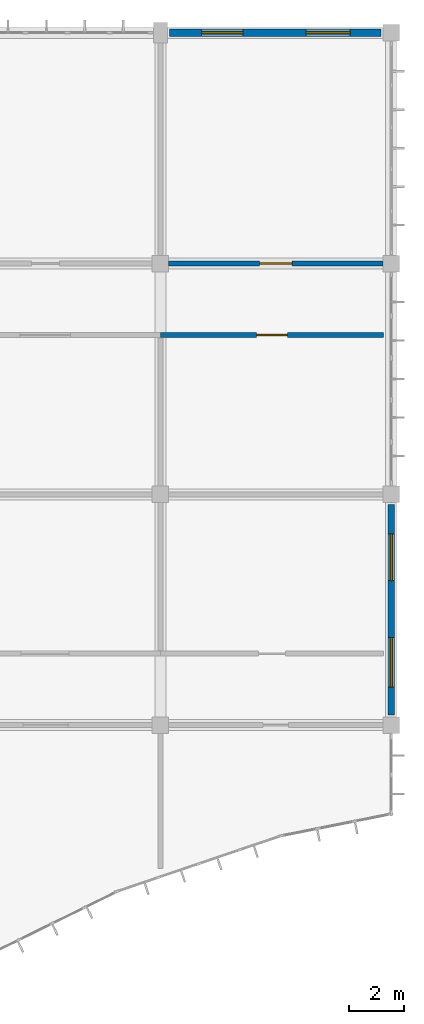
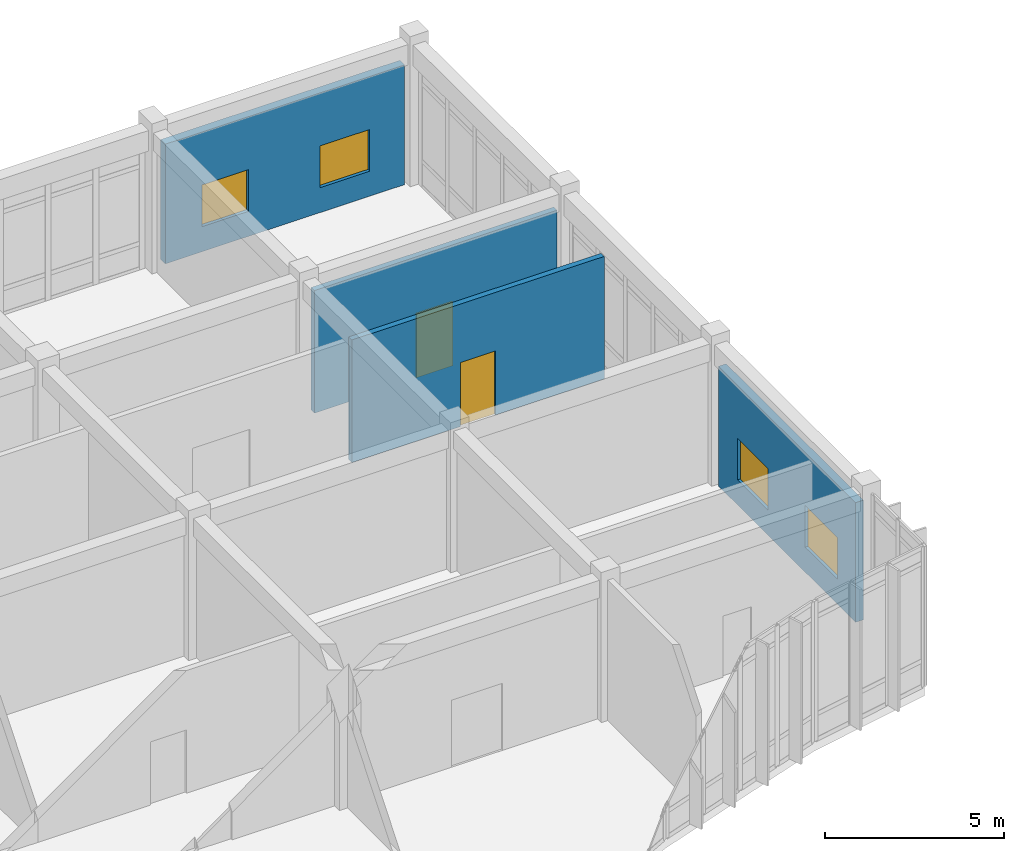
# One storey, part 112 of 134: 4 walls, 4 windows, 2 doors, 6 openings.
"""IFC4 building model written with IfcOpenShell, lengths in metres."""

import ifcopenshell
import ifcopenshell.guid

model = None  # the IFC model being written
_history = None  # IfcOwnerHistory: only IFC2X3 demands one
_inside = {}  # id of a spatial element -> (the spatial element, [elements in it])
_under = {}  # id of a project, library or spatial element -> (it, [spatial elements below it])
_declared = {}  # id of a project -> (the project, [libraries it declares])
_typed = {}  # id of a type object -> (the type object, [elements of that type])
_made_of = {}  # id of a material, layer set ... -> (it, [elements and type objects made of it])


def new_model(schema):
    """Start an empty IFC model of exactly this schema.

    Asked for "IFC4X3", IfcOpenShell would pick the latest addendum, in which some entities
    have other attributes; the version numbers below select the first issue.
    IFC2X3 requires an IfcOwnerHistory on every rooted entity: one is made here for all.
    """
    global model, _history
    if schema == "IFC4X3":
        model = ifcopenshell.file(schema_version=(4, 3, 0, 0))
    else:
        model = ifcopenshell.file(schema=schema)
    _inside.clear()
    _under.clear()
    _declared.clear()
    _typed.clear()
    _made_of.clear()
    _history = None
    if model.schema == "IFC2X3":
        org = make("IfcOrganization", Name="unknown")
        user = make(
            "IfcPersonAndOrganization",
            ThePerson=make("IfcPerson", FamilyName="unknown"),
            TheOrganization=org,
        )
        app = make(
            "IfcApplication",
            ApplicationDeveloper=org,
            Version="unknown",
            ApplicationFullName="unknown",
            ApplicationIdentifier="unknown",
        )
        _history = make(
            "IfcOwnerHistory",
            OwningUser=user,
            OwningApplication=app,
            ChangeAction="ADDED",
            CreationDate=0,
        )
    return model


def make(cls, **values):
    """One entity of the class cls with the attributes given. An attribute that is None is left unset."""
    return model.create_entity(
        cls, **{name: value for name, value in values.items() if value is not None}
    )


def rooted(cls, **values):
    """An entity with a GlobalId (a new one), such as an element, a storey or a relation."""
    return make(cls, GlobalId=ifcopenshell.guid.new(), OwnerHistory=_history, **values)


def si_unit(unit_type, name, prefix=None):
    """IfcSIUnit, for example si_unit("LENGTHUNIT", "METRE", prefix="MILLI")."""
    return make("IfcSIUnit", UnitType=unit_type, Prefix=prefix, Name=name)


def assignment(units):
    """IfcUnitAssignment: the units of a project."""
    return None if units is None else make("IfcUnitAssignment", Units=units)


def point(xyz):
    """IfcCartesianPoint."""
    return None if xyz is None else make("IfcCartesianPoint", Coordinates=xyz)


def direction(xyz):
    """IfcDirection."""
    return None if xyz is None else make("IfcDirection", DirectionRatios=xyz)


def frame(location, z_axis=None, x_axis=None):
    """IfcAxis2Placement3D, a coordinate frame: its origin and axes. An axis left out is left unset."""
    return make(
        "IfcAxis2Placement3D",
        Location=point(location),
        Axis=direction(z_axis),
        RefDirection=direction(x_axis),
    )


def frame_2d(location, x_axis=None):
    """IfcAxis2Placement2D, a coordinate frame in the plane: its origin and x axis."""
    return make(
        "IfcAxis2Placement2D", Location=point(location), RefDirection=direction(x_axis)
    )


def origin():
    """The frame at (0, 0, 0) with its axes left unset."""
    return frame((0.0, 0.0, 0.0))


def place(relative_to, where):
    """IfcLocalPlacement: puts the frame where relative to a parent placement (None: the world)."""
    return make(
        "IfcLocalPlacement", PlacementRelTo=relative_to, RelativePlacement=where
    )


def context(
    kind, dimensions, precision=None, world=None, true_north=None, identifier=None
):
    """IfcGeometricRepresentationContext, for example the 3D "Model" context."""
    return make(
        "IfcGeometricRepresentationContext",
        ContextIdentifier=identifier,
        ContextType=kind,
        CoordinateSpaceDimension=dimensions,
        Precision=precision,
        WorldCoordinateSystem=world,
        TrueNorth=true_north,
    )


def subcontext(parent, identifier, kind, view, scale=None):
    """IfcGeometricRepresentationSubContext, for example "Body" below "Model"."""
    return make(
        "IfcGeometricRepresentationSubContext",
        ContextIdentifier=identifier,
        ContextType=kind,
        ParentContext=parent,
        TargetScale=scale,
        TargetView=view,
    )


def project(units=None, contexts=None):
    """IfcProject with its units and contexts."""
    return rooted(
        "IfcProject",
        Name="project",
        RepresentationContexts=contexts,
        UnitsInContext=assignment(units),
    )


def spatial(cls, under=None, at=None, **own):
    """A site, building, storey or space (cls), placed at a placement, below another one or the project."""
    s = rooted(cls, ObjectPlacement=at, **own)
    if under is not None:
        _under.setdefault(under.id(), (under, []))[1].append(s)
    return s


def profile(cls, at=None, kind="AREA", **sizes):
    """A parametric profile (cls). Its sizes go by their IFC names, for example OverallWidth=200.0."""
    return make(cls, ProfileType=kind, Position=at, **sizes)


def rectangle(**sizes):
    """IfcRectangleProfileDef."""
    return profile("IfcRectangleProfileDef", **sizes)


def extrude(swept, where, along, depth):
    """IfcExtrudedAreaSolid: the profile swept, set in the frame where, extruded along a direction by depth."""
    return make(
        "IfcExtrudedAreaSolid",
        SweptArea=swept,
        Position=where,
        ExtrudedDirection=direction(along),
        Depth=depth,
    )


def shape(context_of_items, identifier, shape_type, items):
    """IfcShapeRepresentation: the items that make up one representation, for example the "Body"."""
    return make(
        "IfcShapeRepresentation",
        ContextOfItems=context_of_items,
        RepresentationIdentifier=identifier,
        RepresentationType=shape_type,
        Items=items,
    )


def material(Name=None, Category=None):
    """IfcMaterial."""
    return make("IfcMaterial", Name=Name, Category=Category)


def layer(
    of_material, thickness, ventilated=None, Name=None, Category=None, Priority=None
):
    """IfcMaterialLayer: one layer of a wall or slab, of a material (None: an air gap)."""
    return make(
        "IfcMaterialLayer",
        Material=of_material,
        LayerThickness=thickness,
        IsVentilated=ventilated,
        Name=Name,
        Category=Category,
        Priority=Priority,
    )


def layer_set(layers, Name=None):
    """IfcMaterialLayerSet."""
    return make("IfcMaterialLayerSet", MaterialLayers=layers, LayerSetName=Name)


def made_of(thing, what):
    """Note that an element or type object is made of a material, layer set ...; save() writes the relation."""
    if what is not None:
        _made_of.setdefault(what.id(), (what, []))[1].append(thing)
    return thing


def type_object(cls, material=None, **own):
    """A type object (cls), such as IfcWallType, which elements share."""
    return made_of(rooted(cls, **own), material)


def element(
    cls,
    number,
    at=None,
    inside=None,
    cuts=None,
    type_object=None,
    material=None,
    context=None,
    identifier="Body",
    shape_type=None,
    held_by="IfcProductDefinitionShape",
    body=None,
    shapes=None,
    **own,
):
    """One element of the class cls, such as IfcWall. Its Tag is "e" and its number.

    at: its placement. inside: the storey or other place that contains it. cuts: it is an
    opening in that element (IfcRelVoidsElement). A single representation is given by context,
    identifier, shape_type and body (its items); several are given by shapes. held_by: the class
    of the entity that holds the representations. save() writes the other relations.
    """
    e = rooted(cls, Tag="e%d" % number, ObjectPlacement=at, **own)
    if body is not None:
        shapes = [shape(context, identifier, shape_type, body)]
    if shapes is not None:
        e.Representation = make(held_by, Representations=shapes)
    if inside is not None:
        _inside.setdefault(inside.id(), (inside, []))[1].append(e)
    if cuts is not None:
        rooted(
            "IfcRelVoidsElement", RelatingBuildingElement=cuts, RelatedOpeningElement=e
        )
    if type_object is not None:
        _typed.setdefault(type_object.id(), (type_object, []))[1].append(e)
    return made_of(e, material)


def fill(opening, filler):
    """IfcRelFillsElement: the door or window that sits in an opening."""
    return rooted(
        "IfcRelFillsElement",
        RelatingOpeningElement=opening,
        RelatedBuildingElement=filler,
    )


def aggregate(whole, parts):
    """IfcRelAggregates: a whole, such as a stair, and the parts it consists of."""
    return rooted("IfcRelAggregates", RelatingObject=whole, RelatedObjects=parts)


def save(model, path):
    """Write the relations noted so far, then the file.

    IfcRelAggregates (storeys below a building ...), IfcRelContainedInSpatialStructure (elements
    in a storey), IfcRelDefinesByType, IfcRelAssociatesMaterial and IfcRelDeclares: one each for
    every whole, place, type object, material and project.
    """
    for whole, parts in _under.values():
        aggregate(whole, parts)
    for where, things in _inside.values():
        rooted(
            "IfcRelContainedInSpatialStructure",
            RelatedElements=things,
            RelatingStructure=where,
        )
    for kind, things in _typed.values():
        rooted("IfcRelDefinesByType", RelatedObjects=things, RelatingType=kind)
    for what, things in _made_of.values():
        rooted("IfcRelAssociatesMaterial", RelatedObjects=things, RelatingMaterial=what)
    for by, libraries in _declared.values():
        rooted("IfcRelDeclares", RelatingContext=by, RelatedDefinitions=libraries)
    model.write(path)


model = new_model("IFC4")

# Units and contexts
model_context = context("Model", 3, precision=1e-05, world=origin(), true_north=direction((0.0, 1.0)))
body_context = subcontext(model_context, "Body", "Model", "MODEL_VIEW")
ifc_project = project(units=[si_unit("LENGTHUNIT", "METRE"), si_unit("AREAUNIT", "SQUARE_METRE"), si_unit("VOLUMEUNIT", "CUBIC_METRE"), si_unit("PLANEANGLEUNIT", "RADIAN"), si_unit("MASSUNIT", "GRAM", prefix="KILO")], contexts=[model_context])

# Site, building, storey
site_placement = place(None, origin())
site = spatial("IfcSite", under=ifc_project, at=site_placement, CompositionType="ELEMENT")
building_placement = place(site_placement, origin())
building = spatial("IfcBuilding", under=site, at=building_placement, Name="Bramfleet General Hospital", CompositionType="ELEMENT")
storey_placement = place(building_placement, frame((0.0, 0.0, 9.300048828125)))
storey = spatial("IfcBuildingStorey", under=building, at=storey_placement, Name="L02", CompositionType="ELEMENT", Elevation=9.300048828125)

# Wall, openings, windows
ifc_material_1 = material(Name="Precast concrete C40/50", Category="concrete")
ifc_layer_1 = layer(ifc_material_1, 0.264892578125, Name="WT-EW-07")
ifc_layer_set_1 = layer_set([ifc_layer_1], Name="Precast concrete C40/50")
wall_type_1 = type_object("IfcWallType", Name="WT-EW-07", PredefinedType="SOLIDWALL", material=ifc_layer_set_1)
wall_1_placement = place(storey_placement, frame((159.925048828125, 117.60009765625, 0.0), z_axis=(0.0, 0.0, 1.0), x_axis=(1.0, 0.0, 0.0)))
wall_1 = element("IfcWall", 1, at=wall_1_placement, inside=storey, type_object=wall_type_1, Name="L02 Exterior Wall 215", PredefinedType="SOLIDWALL", context=body_context, shape_type="SweptSolid", body=[
    extrude(rectangle(XDim=7.699951171875, YDim=0.264892578125, at=frame_2d((3.85009765625, 0.0))), origin(), (0.0, 0.0, 1.0), 4.070068359375),
])
opening_1_placement = place(wall_1_placement, frame((1.175048828125, 0.0, 0.85009765625)))
opening_1 = element("IfcOpeningElement", 2, at=opening_1_placement, cuts=wall_1, Name="Opening W-16", PredefinedType="OPENING", context=body_context, shape_type="SweptSolid", body=[
    extrude(rectangle(XDim=1.5, YDim=1.419921875, at=frame_2d((0.75, 0.7099609375))), frame((0.0, 0.142333984375, 0.0), z_axis=(0.0, -1.0, 0.0), x_axis=(1.0, 0.0, 0.0)), (0.0, 0.0, 1.0), 0.284912109375),
])
opening_2_placement = place(wall_1_placement, frame((4.97509765625, 0.0, 0.85009765625)))
opening_2 = element("IfcOpeningElement", 3, at=opening_2_placement, cuts=wall_1, Name="Opening W-17", PredefinedType="OPENING", context=body_context, shape_type="SweptSolid", body=[
    extrude(rectangle(XDim=1.60009765625, YDim=1.419921875, at=frame_2d((0.800048828125, 0.7099609375))), frame((0.0, 0.142333984375, 0.0), z_axis=(0.0, -1.0, 0.0), x_axis=(1.0, 0.0, 0.0)), (0.0, 0.0, 1.0), 0.284912109375),
])
ifc_material_2 = material(Name="Anodised aluminium and low-E triple glazing", Category="aluminium")
window_type_1 = type_object("IfcWindowType", Name="WIN-W-16", PartitioningType="SINGLE_PANEL", PredefinedType="WINDOW", material=ifc_material_2)
window_1_placement = place(opening_1_placement, origin())
window_1 = element("IfcWindow", 4, at=window_1_placement, inside=storey, type_object=window_type_1, Name="L02 Facade Window WIN-L02-215-1", OverallHeight=1.419921875, OverallWidth=1.5, PartitioningType="SINGLE_PANEL", PredefinedType="WINDOW", context=body_context, shape_type="SweptSolid", body=[
    extrude(rectangle(XDim=1.5, YDim=1.419921875, at=frame_2d((0.75, 0.7099609375))), frame((0.0, 0.030029296875, 0.0), z_axis=(0.0, -1.0, 0.0), x_axis=(1.0, 0.0, 0.0)), (0.0, 0.0, 1.0), 0.06005859375),
])
fill(opening_1, window_1)
window_type_2 = type_object("IfcWindowType", Name="WIN-W-17", PartitioningType="SINGLE_PANEL", PredefinedType="WINDOW", material=ifc_material_2)
window_2_placement = place(opening_2_placement, origin())
window_2 = element("IfcWindow", 5, at=window_2_placement, inside=storey, type_object=window_type_2, Name="L02 Facade Window WIN-L02-215-2", OverallHeight=1.419921875, OverallWidth=1.60009765625, PartitioningType="SINGLE_PANEL", PredefinedType="WINDOW", context=body_context, shape_type="SweptSolid", body=[
    extrude(rectangle(XDim=1.60009765625, YDim=1.419921875, at=frame_2d((0.800048828125, 0.7099609375))), frame((0.0, 0.030029296875, 0.0), z_axis=(0.0, -1.0, 0.0), x_axis=(1.0, 0.0, 0.0)), (0.0, 0.0, 1.0), 0.06005859375),
])
fill(opening_2, window_2)

ifc_layer_2 = layer(ifc_material_1, 0.25, Name="WT-EW-08")
ifc_layer_set_2 = layer_set([ifc_layer_2], Name="Precast concrete C40/50")
wall_type_2 = type_object("IfcWallType", Name="WT-EW-08", PredefinedType="SOLIDWALL", material=ifc_layer_set_2)
wall_2_placement = place(storey_placement, frame((168.0, 100.425048828125, 0.0), z_axis=(0.0, 0.0, 1.0), x_axis=(0.0, -1.0, 0.0)))
wall_2 = element("IfcWall", 6, at=wall_2_placement, inside=storey, type_object=wall_type_2, Name="L02 Exterior Wall 216", PredefinedType="SOLIDWALL", context=body_context, shape_type="SweptSolid", body=[
    extrude(rectangle(XDim=7.650146484375, YDim=0.25, at=frame_2d((3.8251953125, 0.0))), origin(), (0.0, 0.0, 1.0), 4.070068359375),
])
opening_3_placement = place(wall_2_placement, frame((1.0625, 0.0, 0.85009765625)))
opening_3 = element("IfcOpeningElement", 7, at=opening_3_placement, cuts=wall_2, Name="Opening W-18", PredefinedType="OPENING", context=body_context, shape_type="SweptSolid", body=[
    extrude(rectangle(XDim=1.699951171875, YDim=1.419921875, at=frame_2d((0.85009765625, 0.7099609375))), frame((0.0, 0.135009765625, 0.0), z_axis=(0.0, -1.0, 0.0), x_axis=(1.0, 0.0, 0.0)), (0.0, 0.0, 1.0), 0.27001953125),
])
opening_4_placement = place(wall_2_placement, frame((4.83740234375, 0.0, 0.85009765625)))
opening_4 = element("IfcOpeningElement", 8, at=opening_4_placement, cuts=wall_2, Name="Opening W-19", PredefinedType="OPENING", context=body_context, shape_type="SweptSolid", body=[
    extrude(rectangle(XDim=1.800048828125, YDim=1.419921875, at=frame_2d((0.89990234375, 0.7099609375))), frame((0.0, 0.135009765625, 0.0), z_axis=(0.0, -1.0, 0.0), x_axis=(1.0, 0.0, 0.0)), (0.0, 0.0, 1.0), 0.27001953125),
])
window_type_3 = type_object("IfcWindowType", Name="WIN-W-18", PartitioningType="SINGLE_PANEL", PredefinedType="WINDOW", material=ifc_material_2)
window_3_placement = place(opening_3_placement, origin())
window_3 = element("IfcWindow", 9, at=window_3_placement, inside=storey, type_object=window_type_3, Name="L02 Facade Window WIN-L02-216-1", OverallHeight=1.419921875, OverallWidth=1.699951171875, PartitioningType="SINGLE_PANEL", PredefinedType="WINDOW", context=body_context, shape_type="SweptSolid", body=[
    extrude(rectangle(XDim=1.699951171875, YDim=1.419921875, at=frame_2d((0.85009765625, 0.7099609375))), frame((0.0, 0.030029296875, 0.0), z_axis=(0.0, -1.0, 0.0), x_axis=(1.0, 0.0, 0.0)), (0.0, 0.0, 1.0), 0.06005859375),
])
fill(opening_3, window_3)
window_type_4 = type_object("IfcWindowType", Name="WIN-W-19", PartitioningType="SINGLE_PANEL", PredefinedType="WINDOW", material=ifc_material_2)
window_4_placement = place(opening_4_placement, origin())
window_4 = element("IfcWindow", 10, at=window_4_placement, inside=storey, type_object=window_type_4, Name="L02 Facade Window WIN-L02-216-2", OverallHeight=1.419921875, OverallWidth=1.800048828125, PartitioningType="SINGLE_PANEL", PredefinedType="WINDOW", context=body_context, shape_type="SweptSolid", body=[
    extrude(rectangle(XDim=1.800048828125, YDim=1.419921875, at=frame_2d((0.89990234375, 0.7099609375))), frame((0.0, 0.030029296875, 0.0), z_axis=(0.0, -1.0, 0.0), x_axis=(1.0, 0.0, 0.0)), (0.0, 0.0, 1.0), 0.06005859375),
])
fill(opening_4, window_4)

# Wall, opening, door
ifc_material_3 = material(Name="Concrete C35/45", Category="concrete")
ifc_layer_3 = layer(ifc_material_3, 0.179931640625, Name="WT-IW-04")
ifc_layer_set_3 = layer_set([ifc_layer_3], Name="Concrete C35/45")
wall_type_3 = type_object("IfcWallType", Name="WT-IW-04", PredefinedType="PARTITIONING", material=ifc_layer_set_3)
wall_3_placement = place(storey_placement, frame((159.60009765625, 106.60009765625, 0.0), z_axis=(0.0, 0.0, 1.0), x_axis=(1.0, 0.0, 0.0)))
wall_3 = element("IfcWall", 11, at=wall_3_placement, inside=storey, type_object=wall_type_3, Name="L02 Interior Partition IW-L02-2165", PredefinedType="PARTITIONING", context=body_context, shape_type="SweptSolid", body=[
    extrude(rectangle(XDim=8.119873046875, YDim=0.179931640625, at=frame_2d((4.06005859375, 0.0))), origin(), (0.0, 0.0, 1.0), 4.169921875),
])
opening_5_placement = place(wall_3_placement, frame((3.5, 0.0, 0.0)))
opening_5 = element("IfcOpeningElement", 12, at=opening_5_placement, cuts=wall_3, Name="Opening D1019", PredefinedType="OPENING", context=body_context, shape_type="SweptSolid", body=[
    extrude(rectangle(XDim=1.1201171875, YDim=2.179931640625, at=frame_2d((0.56005859375, 1.08984375))), frame((0.0, 0.099853515625, 0.0), z_axis=(0.0, -1.0, 0.0), x_axis=(1.0, 0.0, 0.0)), (0.0, 0.0, 1.0), 0.199951171875),
])
ifc_material_4 = material(Name="Stainless steel and acoustic timber leaf", Category="steel")
door_type_1 = type_object("IfcDoorType", Name="DR-D-27", OperationType="NOTDEFINED", PredefinedType="DOOR", material=ifc_material_4)
door_1_placement = place(opening_5_placement, origin())
door_1 = element("IfcDoor", 13, at=door_1_placement, inside=storey, type_object=door_type_1, Name="Interventional Cardiology Cath Lab L02-1912 Door D1019", OperationType="SINGLE_SWING_RIGHT", OverallHeight=2.179931640625, OverallWidth=1.1201171875, PredefinedType="DOOR", context=body_context, shape_type="SweptSolid", body=[
    extrude(rectangle(XDim=1.1201171875, YDim=2.179931640625, at=frame_2d((0.56005859375, 1.08984375))), frame((0.0, 0.02490234375, 0.0), z_axis=(0.0, -1.0, 0.0), x_axis=(1.0, 0.0, 0.0)), (0.0, 0.0, 1.0), 0.050048828125),
])
fill(opening_5, door_1)

wall_4_placement = place(storey_placement, frame((159.89501953125, 109.199951171875, 0.0), z_axis=(0.0, 0.0, 1.0), x_axis=(1.0, 0.0, 0.0)))
wall_4 = element("IfcWall", 14, at=wall_4_placement, inside=storey, type_object=wall_type_3, Name="L02 Interior Partition IW-L02-2180", PredefinedType="PARTITIONING", context=body_context, shape_type="SweptSolid", body=[
    extrude(rectangle(XDim=7.81005859375, YDim=0.179931640625, at=frame_2d((3.905029296875, 0.0))), origin(), (0.0, 0.0, 1.0), 4.169921875),
])
opening_6_placement = place(wall_4_placement, frame((3.31494140625, 0.0, 0.0)))
opening_6 = element("IfcOpeningElement", 15, at=opening_6_placement, cuts=wall_4, Name="Opening D1020", PredefinedType="OPENING", context=body_context, shape_type="SweptSolid", body=[
    extrude(rectangle(XDim=1.179931640625, YDim=2.179931640625, at=frame_2d((0.58984375, 1.08984375))), frame((0.0, 0.099853515625, 0.0), z_axis=(0.0, -1.0, 0.0), x_axis=(1.0, 0.0, 0.0)), (0.0, 0.0, 1.0), 0.199951171875),
])
door_type_2 = type_object("IfcDoorType", Name="DR-D-28", OperationType="NOTDEFINED", PredefinedType="DOOR", material=ifc_material_4)
door_2_placement = place(opening_6_placement, origin())
door_2 = element("IfcDoor", 16, at=door_2_placement, inside=storey, type_object=door_type_2, Name="Interventional Cardiology Cath Lab L02-1913 Door D1020", OperationType="SINGLE_SWING_LEFT", OverallHeight=2.179931640625, OverallWidth=1.179931640625, PredefinedType="DOOR", context=body_context, shape_type="SweptSolid", body=[
    extrude(rectangle(XDim=1.179931640625, YDim=2.179931640625, at=frame_2d((0.58984375, 1.08984375))), frame((0.0, 0.02490234375, 0.0), z_axis=(0.0, -1.0, 0.0), x_axis=(1.0, 0.0, 0.0)), (0.0, 0.0, 1.0), 0.050048828125),
])
fill(opening_6, door_2)

save(model, "model.ifc")
